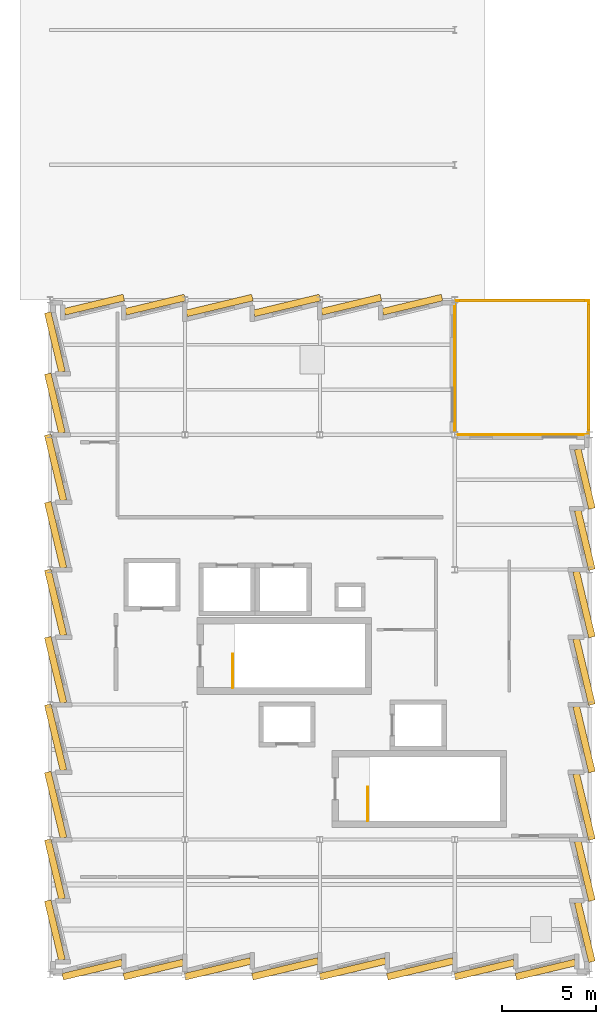
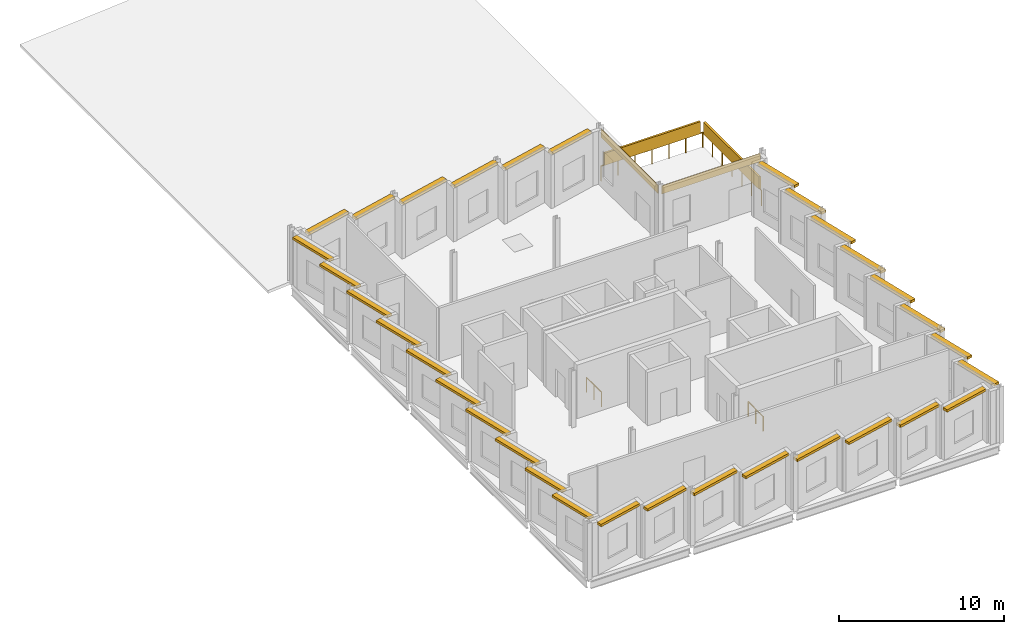
# One storey, part 9 of 9: 34 shading devices, 4 railings, 2 coverings.
"""IFC4 building model written with IfcOpenShell, lengths in metres."""

from ifc_helpers import new_model, si_unit, direction, frame, origin, origin_2d, place, context, subcontext, project, spatial, rectangle, circle, extrude, material, layer, layer_set, type_object, element, save


model = new_model("IFC4")

# Units and contexts
model_context = context("Model", 3, precision=1e-05, world=origin(), true_north=direction((0.0, 1.0)))
body_context = subcontext(model_context, "Body", "Model", "MODEL_VIEW")
ifc_project = project(units=[si_unit("LENGTHUNIT", "METRE"), si_unit("AREAUNIT", "SQUARE_METRE"), si_unit("VOLUMEUNIT", "CUBIC_METRE"), si_unit("PLANEANGLEUNIT", "RADIAN"), si_unit("MASSUNIT", "GRAM", prefix="KILO")], contexts=[model_context])

# Site, building, storey
site_placement = place(None, origin())
site = spatial("IfcSite", under=ifc_project, at=site_placement, CompositionType="ELEMENT")
building_placement = place(site_placement, origin())
building = spatial("IfcBuilding", under=site, at=building_placement, Name="Kalmorath City Hall", CompositionType="ELEMENT")
storey_placement = place(building_placement, frame((0.0, 0.0, 31.050048828125)))
storey = spatial("IfcBuildingStorey", under=building, at=storey_placement, Name="L07", CompositionType="ELEMENT", Elevation=31.050048828125)

# Coverings
ifc_material_1 = material(Name="Hardwood timber cladding", Category="wood")
ifc_layer_1 = layer(ifc_material_1, 0.044921875)
ifc_layer_set_1 = layer_set([ifc_layer_1], Name="Hardwood timber cladding")
covering_type = type_object("IfcCoveringType", Name="Hardwood recessed loggia wall cladding", PredefinedType="CLADDING", material=ifc_layer_set_1)
covering_1_placement = place(storey_placement, frame((25.199951171875, 28.794921875, 3.329833984375), z_axis=(0.0, 0.0, 1.0), x_axis=(-1.0, 0.0, 0.0)))
element("IfcCovering", 1, at=covering_1_placement, inside=storey, type_object=covering_type, Name="L07 timber loggia lining #96", PredefinedType="CLADDING", context=body_context, shape_type="SweptSolid", body=[
    extrude(rectangle(XDim=6.89306640625, YDim=0.044921875, at=origin_2d()), origin(), (0.0, 0.0, 1.0), 0.60009765625),
])
covering_2_placement = place(storey_placement, frame((21.594970703125, 32.39990234375, 3.329833984375), z_axis=(0.0, 0.0, 1.0), x_axis=(0.0, 1.0, 0.0)))
element("IfcCovering", 2, at=covering_2_placement, inside=storey, type_object=covering_type, Name="L07 timber loggia lining #97", PredefinedType="CLADDING", context=body_context, shape_type="SweptSolid", body=[
    extrude(rectangle(XDim=6.889892578125, YDim=0.044921875, at=origin_2d()), origin(), (0.0, 0.0, 1.0), 0.60009765625),
])

# Shading devices
ifc_material_2 = material(Name="Bronze anodised storm louvre")
ifc_layer_2 = layer(ifc_material_2, 0.139892578125)
ifc_layer_set_2 = layer_set([ifc_layer_2], Name="Bronze anodised storm louvre")
shading_device_type_1 = type_object("IfcShadingDeviceType", Name="Hurricane bronze storm louvre bank", PredefinedType="JALOUSIE", material=ifc_layer_set_2)
for number, where, z_axis, x_axis, name in (
    (3, (28.75, 32.39990234375, 1.10009765625), (0.0, 0.0, 1.0), (0.0, 1.0, 0.0), "L07 corner loggia storm louvre #550"),
    (4, (25.199951171875, 35.949951171875, 1.10009765625), (0.0, 0.0, 1.0), (-1.0, 0.0, 0.0), "L07 corner loggia storm louvre #551"),
):
    element("IfcShadingDevice", number, at=place(storey_placement, frame(where, z_axis=z_axis, x_axis=x_axis)), inside=storey, type_object=shading_device_type_1, Name=name, PredefinedType="JALOUSIE", context=body_context, shape_type="SweptSolid", body=[
        extrude(rectangle(XDim=6.699951171875, YDim=0.139892578125, at=origin_2d()), origin(), (0.0, 0.0, 1.0), 0.89990234375),
    ])

# Railings
ifc_material_3 = material(Name="Stainless steel and laminated glass", Category="steel")
railing_type_1 = type_object("IfcRailingType", Name="Outdoor terrace balustrade 1120", PredefinedType="BALUSTRADE", material=ifc_material_3)
railing_1_placement = place(storey_placement, frame((28.75, 28.85009765625, 0.0)))
element("IfcRailing", 5, at=railing_1_placement, inside=storey, type_object=railing_type_1, Name="L07 Upper Civic Corner Loggia balustrade #22", PredefinedType="BALUSTRADE", context=body_context, shape_type="SweptSolid", body=[
    extrude(circle(Radius=0.02392578125, at=origin_2d()), frame((0.0, 0.0, 1.09619140625), z_axis=(0.0, 1.0, 0.0), x_axis=(-1.0, 0.0, 0.0)), (0.0, 0.0, 1.0), 7.099853515625),
    extrude(circle(Radius=0.02099609375, at=origin_2d()), origin(), (0.0, 0.0, 1.0), 1.072021484375),
    extrude(circle(Radius=0.02099609375, at=origin_2d()), frame((0.0, 1.183349609375, 0.0)), (0.0, 0.0, 1.0), 1.072021484375),
    extrude(circle(Radius=0.02099609375, at=origin_2d()), frame((0.0, 2.36669921875, 0.0)), (0.0, 0.0, 1.0), 1.072021484375),
    extrude(circle(Radius=0.02099609375, at=origin_2d()), frame((0.0, 3.5498046875, 0.0)), (0.0, 0.0, 1.0), 1.072021484375),
    extrude(circle(Radius=0.02099609375, at=origin_2d()), frame((0.0, 4.733154296875, 0.0)), (0.0, 0.0, 1.0), 1.072021484375),
    extrude(circle(Radius=0.02099609375, at=origin_2d()), frame((0.0, 5.91650390625, 0.0)), (0.0, 0.0, 1.0), 1.072021484375),
    extrude(circle(Radius=0.02099609375, at=origin_2d()), frame((0.0, 7.099853515625, 0.0)), (0.0, 0.0, 1.0), 1.072021484375),
])
railing_2_placement = place(storey_placement, frame((28.75, 35.949951171875, 0.0)))
element("IfcRailing", 6, at=railing_2_placement, inside=storey, type_object=railing_type_1, Name="L07 Upper Civic Corner Loggia balustrade #23", PredefinedType="BALUSTRADE", context=body_context, shape_type="SweptSolid", body=[
    extrude(circle(Radius=0.02392578125, at=origin_2d()), frame((0.0, 0.0, 1.09619140625), z_axis=(-1.0, 0.0, 0.0), x_axis=(0.0, -1.0, 0.0)), (0.0, 0.0, 1.0), 7.10009765625),
    extrude(circle(Radius=0.02099609375, at=origin_2d()), origin(), (0.0, 0.0, 1.0), 1.072021484375),
    extrude(circle(Radius=0.02099609375, at=origin_2d()), frame((-1.183349609375, 0.0, 0.0)), (0.0, 0.0, 1.0), 1.072021484375),
    extrude(circle(Radius=0.02099609375, at=origin_2d()), frame((-2.36669921875, 0.0, 0.0)), (0.0, 0.0, 1.0), 1.072021484375),
    extrude(circle(Radius=0.02099609375, at=origin_2d()), frame((-3.550048828125, 0.0, 0.0)), (0.0, 0.0, 1.0), 1.072021484375),
    extrude(circle(Radius=0.02099609375, at=origin_2d()), frame((-4.7333984375, 0.0, 0.0)), (0.0, 0.0, 1.0), 1.072021484375),
    extrude(circle(Radius=0.02099609375, at=origin_2d()), frame((-5.916748046875, 0.0, 0.0)), (0.0, 0.0, 1.0), 1.072021484375),
    extrude(circle(Radius=0.02099609375, at=origin_2d()), frame((-7.10009765625, 0.0, 0.0)), (0.0, 0.0, 1.0), 1.072021484375),
])

# Shading devices
ifc_material_4 = material(Name="Precast concrete C40/50", Category="concrete")
ifc_layer_3 = layer(ifc_material_4, 0.179931640625)
ifc_layer_set_3 = layer_set([ifc_layer_3], Name="Precast concrete C40/50")
shading_device_type_2 = type_object("IfcShadingDeviceType", Name="Precast sawtooth brow sunshade 350", PredefinedType="USERDEFINED", material=ifc_layer_set_3)
for number, where, z_axis, x_axis, name in (
    (7, (2.263916015625, 0.26025390625, 3.73974609375), (0.0, 0.0, 1.0), (0.972365845859, 0.233462334877, 0.0), "L07 precast sawtooth hood #511"),
    (8, (5.523681640625, 0.26025390625, 3.73974609375), (0.0, 0.0, 1.0), (0.972365845859, 0.233462334877, 0.0), "L07 precast sawtooth hood #512"),
):
    element("IfcShadingDevice", number, at=place(storey_placement, frame(where, z_axis=z_axis, x_axis=x_axis)), inside=storey, type_object=shading_device_type_2, Name=name, ObjectType="SUNSHADE", PredefinedType="USERDEFINED", context=body_context, shape_type="SweptSolid", body=[
        extrude(rectangle(XDim=3.257568359375, YDim=0.360107421875, at=origin_2d()), origin(), (0.0, 0.0, 1.0), 0.179931640625),
    ])
for number, where, z_axis, x_axis, name in (
    (9, (8.953857421875, 0.301025390625, 3.73974609375), (0.0, 0.0, 1.0), (0.972369920398, 0.233445363856, 0.0), "L07 precast sawtooth hood #513"),
    (10, (12.5537109375, 0.301025390625, 3.73974609375), (0.0, 0.0, 1.0), (0.972369920398, 0.233445363856, 0.0), "L07 precast sawtooth hood #514"),
    (11, (16.15380859375, 0.301025390625, 3.73974609375), (0.0, 0.0, 1.0), (0.972369920398, 0.233445363856, 0.0), "L07 precast sawtooth hood #515"),
    (12, (19.75390625, 0.301025390625, 3.73974609375), (0.0, 0.0, 1.0), (0.972369920398, 0.233445363856, 0.0), "L07 precast sawtooth hood #516"),
):
    element("IfcShadingDevice", number, at=place(storey_placement, frame(where, z_axis=z_axis, x_axis=x_axis)), inside=storey, type_object=shading_device_type_2, Name=name, ObjectType="SUNSHADE", PredefinedType="USERDEFINED", context=body_context, shape_type="SweptSolid", body=[
        extrude(rectangle(XDim=3.607421875, YDim=0.360107421875, at=origin_2d()), origin(), (0.0, 0.0, 1.0), 0.179931640625),
    ])
for number, where, z_axis, x_axis, name in (
    (13, (23.183837890625, 0.26025390625, 3.73974609375), (0.0, 0.0, 1.0), (0.972365845859, 0.233462334877, 0.0), "L07 precast sawtooth hood #517"),
    (14, (26.44384765625, 0.26025390625, 3.73974609375), (0.0, 0.0, 1.0), (0.972365845859, 0.233462334877, 0.0), "L07 precast sawtooth hood #518"),
    (15, (28.539794921875, 2.263916015625, 3.73974609375), (0.0, 0.0, 1.0), (-0.233462334877, 0.972365845859, 0.0), "L07 precast sawtooth hood #519"),
    (16, (28.539794921875, 5.523681640625, 3.73974609375), (0.0, 0.0, 1.0), (-0.233462334877, 0.972365845859, 0.0), "L07 precast sawtooth hood #520"),
):
    element("IfcShadingDevice", number, at=place(storey_placement, frame(where, z_axis=z_axis, x_axis=x_axis)), inside=storey, type_object=shading_device_type_2, Name=name, ObjectType="SUNSHADE", PredefinedType="USERDEFINED", context=body_context, shape_type="SweptSolid", body=[
        extrude(rectangle(XDim=3.257568359375, YDim=0.360107421875, at=origin_2d()), origin(), (0.0, 0.0, 1.0), 0.179931640625),
    ])
for number, where, z_axis, x_axis, name in (
    (17, (28.498779296875, 8.953857421875, 3.73974609375), (0.0, 0.0, 1.0), (-0.233445363856, 0.972369920398, 0.0), "L07 precast sawtooth hood #521"),
    (18, (28.498779296875, 12.5537109375, 3.73974609375), (0.0, 0.0, 1.0), (-0.233445363856, 0.972369920398, 0.0), "L07 precast sawtooth hood #522"),
    (19, (28.498779296875, 16.15380859375, 3.73974609375), (0.0, 0.0, 1.0), (-0.233445363856, 0.972369920398, 0.0), "L07 precast sawtooth hood #523"),
    (20, (28.498779296875, 19.75390625, 3.73974609375), (0.0, 0.0, 1.0), (-0.233445363856, 0.972369920398, 0.0), "L07 precast sawtooth hood #524"),
):
    element("IfcShadingDevice", number, at=place(storey_placement, frame(where, z_axis=z_axis, x_axis=x_axis)), inside=storey, type_object=shading_device_type_2, Name=name, ObjectType="SUNSHADE", PredefinedType="USERDEFINED", context=body_context, shape_type="SweptSolid", body=[
        extrude(rectangle(XDim=3.607421875, YDim=0.360107421875, at=origin_2d()), origin(), (0.0, 0.0, 1.0), 0.179931640625),
    ])
for number, where, z_axis, x_axis, name in (
    (21, (28.539794921875, 23.183837890625, 3.73974609375), (0.0, 0.0, 1.0), (-0.233462334877, 0.972365845859, 0.0), "L07 precast sawtooth hood #525"),
    (22, (28.539794921875, 26.44384765625, 3.73974609375), (0.0, 0.0, 1.0), (-0.233462334877, 0.972365845859, 0.0), "L07 precast sawtooth hood #526"),
    (23, (19.336181640625, 35.73974609375, 3.73974609375), (0.0, 0.0, 1.0), (-0.972365845859, -0.233462334877, 0.0), "L07 precast sawtooth hood #527"),
    (24, (16.076171875, 35.73974609375, 3.73974609375), (0.0, 0.0, 1.0), (-0.972365845859, -0.233462334877, 0.0), "L07 precast sawtooth hood #528"),
):
    element("IfcShadingDevice", number, at=place(storey_placement, frame(where, z_axis=z_axis, x_axis=x_axis)), inside=storey, type_object=shading_device_type_2, Name=name, ObjectType="SUNSHADE", PredefinedType="USERDEFINED", context=body_context, shape_type="SweptSolid", body=[
        extrude(rectangle(XDim=3.257568359375, YDim=0.360107421875, at=origin_2d()), origin(), (0.0, 0.0, 1.0), 0.179931640625),
    ])
for number, where, z_axis, x_axis, name in (
    (25, (12.646240234375, 35.698974609375, 3.73974609375), (0.0, 0.0, 1.0), (-0.972369920398, -0.233445363856, 0.0), "L07 precast sawtooth hood #529"),
    (26, (9.046142578125, 35.698974609375, 3.73974609375), (0.0, 0.0, 1.0), (-0.972369920398, -0.233445363856, 0.0), "L07 precast sawtooth hood #530"),
):
    element("IfcShadingDevice", number, at=place(storey_placement, frame(where, z_axis=z_axis, x_axis=x_axis)), inside=storey, type_object=shading_device_type_2, Name=name, ObjectType="SUNSHADE", PredefinedType="USERDEFINED", context=body_context, shape_type="SweptSolid", body=[
        extrude(rectangle(XDim=3.607421875, YDim=0.360107421875, at=origin_2d()), origin(), (0.0, 0.0, 1.0), 0.179931640625),
    ])
for number, where, z_axis, x_axis, name in (
    (27, (5.6162109375, 35.73974609375, 3.73974609375), (0.0, 0.0, 1.0), (-0.972365845859, -0.233462334877, 0.0), "L07 precast sawtooth hood #531"),
    (28, (2.356201171875, 35.73974609375, 3.73974609375), (0.0, 0.0, 1.0), (-0.972365845859, -0.233462334877, 0.0), "L07 precast sawtooth hood #532"),
    (29, (0.26025390625, 33.736083984375, 3.73974609375), (0.0, 0.0, 1.0), (0.233462334877, -0.972365845859, 0.0), "L07 precast sawtooth hood #533"),
    (30, (0.26025390625, 30.476318359375, 3.73974609375), (0.0, 0.0, 1.0), (0.233462334877, -0.972365845859, 0.0), "L07 precast sawtooth hood #534"),
):
    element("IfcShadingDevice", number, at=place(storey_placement, frame(where, z_axis=z_axis, x_axis=x_axis)), inside=storey, type_object=shading_device_type_2, Name=name, ObjectType="SUNSHADE", PredefinedType="USERDEFINED", context=body_context, shape_type="SweptSolid", body=[
        extrude(rectangle(XDim=3.257568359375, YDim=0.360107421875, at=origin_2d()), origin(), (0.0, 0.0, 1.0), 0.179931640625),
    ])
for number, where, z_axis, x_axis, name in (
    (31, (0.301025390625, 27.046142578125, 3.73974609375), (0.0, 0.0, 1.0), (0.233445363856, -0.972369920398, 0.0), "L07 precast sawtooth hood #535"),
    (32, (0.301025390625, 23.4462890625, 3.73974609375), (0.0, 0.0, 1.0), (0.233445363856, -0.972369920398, 0.0), "L07 precast sawtooth hood #536"),
    (33, (0.301025390625, 19.84619140625, 3.73974609375), (0.0, 0.0, 1.0), (0.233445363856, -0.972369920398, 0.0), "L07 precast sawtooth hood #537"),
    (34, (0.301025390625, 16.24609375, 3.73974609375), (0.0, 0.0, 1.0), (0.233445363856, -0.972369920398, 0.0), "L07 precast sawtooth hood #538"),
    (35, (0.301025390625, 12.646240234375, 3.73974609375), (0.0, 0.0, 1.0), (0.233445363856, -0.972369920398, 0.0), "L07 precast sawtooth hood #539"),
    (36, (0.301025390625, 9.046142578125, 3.73974609375), (0.0, 0.0, 1.0), (0.233445363856, -0.972369920398, 0.0), "L07 precast sawtooth hood #540"),
):
    element("IfcShadingDevice", number, at=place(storey_placement, frame(where, z_axis=z_axis, x_axis=x_axis)), inside=storey, type_object=shading_device_type_2, Name=name, ObjectType="SUNSHADE", PredefinedType="USERDEFINED", context=body_context, shape_type="SweptSolid", body=[
        extrude(rectangle(XDim=3.607421875, YDim=0.360107421875, at=origin_2d()), origin(), (0.0, 0.0, 1.0), 0.179931640625),
    ])
for number, where, z_axis, x_axis, name in (
    (37, (0.26025390625, 5.6162109375, 3.73974609375), (0.0, 0.0, 1.0), (0.233462334877, -0.972365845859, 0.0), "L07 precast sawtooth hood #541"),
    (38, (0.26025390625, 2.356201171875, 3.73974609375), (0.0, 0.0, 1.0), (0.233462334877, -0.972365845859, 0.0), "L07 precast sawtooth hood #542"),
):
    element("IfcShadingDevice", number, at=place(storey_placement, frame(where, z_axis=z_axis, x_axis=x_axis)), inside=storey, type_object=shading_device_type_2, Name=name, ObjectType="SUNSHADE", PredefinedType="USERDEFINED", context=body_context, shape_type="SweptSolid", body=[
        extrude(rectangle(XDim=3.257568359375, YDim=0.360107421875, at=origin_2d()), origin(), (0.0, 0.0, 1.0), 0.179931640625),
    ])

# Railings
ifc_material_5 = material(Name="Painted steel guardrail", Category="steel")
railing_type_2 = type_object("IfcRailingType", Name="Protected stair guardrail 1100", PredefinedType="GUARDRAIL", material=ifc_material_5)
for number, where, name in (
    (39, (9.75, 15.300048828125, 0.0), "L07 ST-1 top well guard 1"),
    (40, (16.949951171875, 8.199951171875, 0.0), "L07 ST-2 top well guard 1"),
):
    element("IfcRailing", number, at=place(storey_placement, frame(where)), inside=storey, type_object=railing_type_2, Name=name, PredefinedType="GUARDRAIL", context=body_context, shape_type="SweptSolid", body=[
        extrude(circle(Radius=0.02392578125, at=origin_2d()), frame((0.0, 0.0, 1.076171875), z_axis=(0.0, 1.0, 0.0), x_axis=(-1.0, 0.0, 0.0)), (0.0, 0.0, 1.0), 1.800048828125),
        extrude(circle(Radius=0.02099609375, at=origin_2d()), origin(), (0.0, 0.0, 1.0), 1.052001953125),
        extrude(circle(Radius=0.02099609375, at=origin_2d()), frame((0.0, 0.89990234375, 0.0)), (0.0, 0.0, 1.0), 1.052001953125),
        extrude(circle(Radius=0.02099609375, at=origin_2d()), frame((0.0, 1.800048828125, 0.0)), (0.0, 0.0, 1.0), 1.052001953125),
    ])

save(model, "model.ifc")
